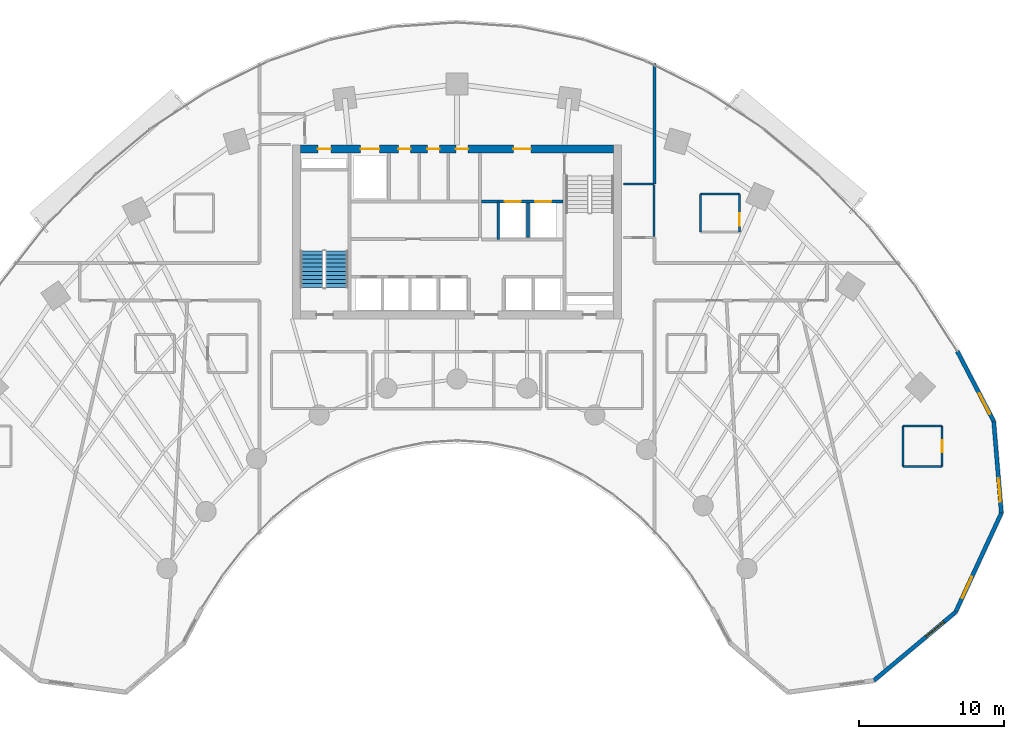
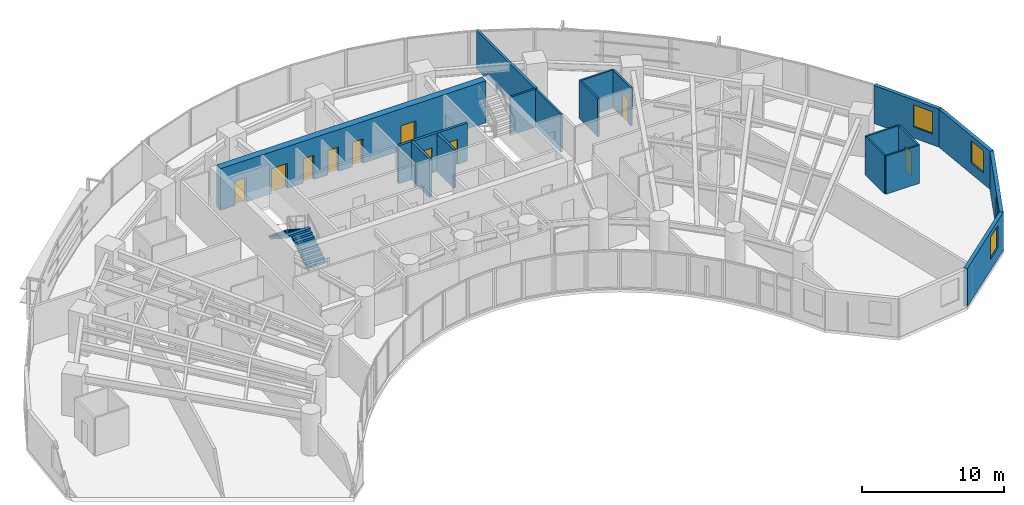
# One storey, part 14 of 17: 18 walls, 10 doors, 4 windows, 2 stair flights, 14 openings, 1 element without a shape of its own.
"""IFC4 building model written with IfcOpenShell, lengths in metres."""

from ifc_helpers import new_model, si_unit, direction, frame, frame_2d, origin, place, context, subcontext, project, spatial, polyline, rectangle, outline, extrude, source, transform, mapped, material, layer, layer_set, type_object, type_shapes, element, fill, aggregate, save


model = new_model("IFC4")

# Units and contexts
model_context = context("Model", 3, precision=1e-05, world=origin(), true_north=direction((0.0, 1.0)))
body_context = subcontext(model_context, "Body", "Model", "MODEL_VIEW")
ifc_project = project(units=[si_unit("LENGTHUNIT", "METRE"), si_unit("AREAUNIT", "SQUARE_METRE"), si_unit("VOLUMEUNIT", "CUBIC_METRE"), si_unit("PLANEANGLEUNIT", "RADIAN"), si_unit("MASSUNIT", "GRAM", prefix="KILO")], contexts=[model_context])

# Site, building, storey
site_placement = place(None, origin())
site = spatial("IfcSite", under=ifc_project, at=site_placement, CompositionType="ELEMENT")
building_placement = place(site_placement, origin())
building = spatial("IfcBuilding", under=site, at=building_placement, Name="Breltana Convention Tower", CompositionType="ELEMENT")
storey_placement = place(building_placement, frame((0.0, 0.0, 82.199951171875)))
storey = spatial("IfcBuildingStorey", under=building, at=storey_placement, Name="L19", CompositionType="ELEMENT", Elevation=82.199951171875)

# Wall, openings, doors
ifc_material_1 = material(Name="Concrete C60/75", Category="concrete")
ifc_layer_1 = layer(ifc_material_1, 0.550048828125, Name="Concrete C60/75")
ifc_layer_set_1 = layer_set([ifc_layer_1], Name="Concrete C60/75")
wall_type_1 = type_object("IfcWallType", Name="SW-CORE-550", PredefinedType="SHEAR", material=ifc_layer_set_1)
shared_shape_1 = source(origin(), body_context, "Body", "SweptSolid", [
    extrude(rectangle(XDim=21.60009765625, YDim=0.550048828125, at=frame_2d((10.800048828125, 0.0))), origin(), (0.0, 0.0, 1.0), 3.60009765625),
])
wall_1_placement = place(storey_placement, frame((37.199951171875, 71.925048828125, 0.0), z_axis=(0.0, 0.0, 1.0), x_axis=(1.0, 0.0, 0.0)))
wall_1 = element("IfcWall", 1, at=wall_1_placement, inside=storey, type_object=wall_type_1, Name="L19 North Core Shear Wall", PredefinedType="SHEAR", context=body_context, shape_type="MappedRepresentation", body=[
    mapped(shared_shape_1, transform((0.0, 0.0, 0.0), scale=1.0)),
])
opening_1_placement = place(wall_1_placement, frame((1.199951171875, 0.0, 0.0)))
opening_1 = element("IfcOpeningElement", 2, at=opening_1_placement, cuts=wall_1, Name="Opening D-18", PredefinedType="OPENING", context=body_context, shape_type="SweptSolid", body=[
    extrude(rectangle(XDim=0.89990234375, YDim=2.10009765625, at=frame_2d((0.449951171875, 1.050048828125))), frame((0.0, 0.28515625, 0.0), z_axis=(0.0, -1.0, 0.0), x_axis=(1.0, 0.0, 0.0)), (0.0, 0.0, 1.0), 0.570068359375),
])
opening_2_placement = place(wall_1_placement, frame((14.699951171875, 0.0, 0.0)))
opening_2 = element("IfcOpeningElement", 3, at=opening_2_placement, cuts=wall_1, Name="Opening D-09", PredefinedType="OPENING", context=body_context, shape_type="SweptSolid", body=[
    extrude(rectangle(XDim=1.199951171875, YDim=2.14990234375, at=frame_2d((0.60009765625, 1.074951171875))), frame((0.0, 0.28515625, 0.0), z_axis=(0.0, -1.0, 0.0), x_axis=(1.0, 0.0, 0.0)), (0.0, 0.0, 1.0), 0.570068359375),
])
opening_3_placement = place(wall_1_placement, frame((4.14990234375, 0.0, 0.0)))
opening_3 = element("IfcOpeningElement", 4, at=opening_3_placement, cuts=wall_1, Name="Opening LD-01", PredefinedType="OPENING", context=body_context, shape_type="SweptSolid", body=[
    extrude(rectangle(XDim=1.300048828125, YDim=2.14990234375, at=frame_2d((0.64990234375, 1.074951171875))), frame((0.0, 0.28515625, 0.0), z_axis=(0.0, -1.0, 0.0), x_axis=(1.0, 0.0, 0.0)), (0.0, 0.0, 1.0), 0.570068359375),
])
opening_4_placement = place(wall_1_placement, frame((6.760009765625, 0.0, 0.0)))
opening_4 = element("IfcOpeningElement", 5, at=opening_4_placement, cuts=wall_1, Name="Opening D-20", PredefinedType="OPENING", context=body_context, shape_type="SweptSolid", body=[
    extrude(rectangle(XDim=0.85009765625, YDim=2.10009765625, at=frame_2d((0.425048828125, 1.050048828125))), frame((0.0, 0.28515625, 0.0), z_axis=(0.0, -1.0, 0.0), x_axis=(1.0, 0.0, 0.0)), (0.0, 0.0, 1.0), 0.570068359375),
])
opening_5_placement = place(wall_1_placement, frame((8.760009765625, 0.0, 0.0)))
opening_5 = element("IfcOpeningElement", 6, at=opening_5_placement, cuts=wall_1, Name="Opening D-20", PredefinedType="OPENING", context=body_context, shape_type="SweptSolid", body=[
    extrude(rectangle(XDim=0.85009765625, YDim=2.10009765625, at=frame_2d((0.425048828125, 1.050048828125))), frame((0.0, 0.28515625, 0.0), z_axis=(0.0, -1.0, 0.0), x_axis=(1.0, 0.0, 0.0)), (0.0, 0.0, 1.0), 0.570068359375),
])
opening_6_placement = place(wall_1_placement, frame((10.72509765625, 0.0, 0.0)))
opening_6 = element("IfcOpeningElement", 7, at=opening_6_placement, cuts=wall_1, Name="Opening D-20", PredefinedType="OPENING", context=body_context, shape_type="SweptSolid", body=[
    extrude(rectangle(XDim=0.85009765625, YDim=2.10009765625, at=frame_2d((0.425048828125, 1.050048828125))), frame((0.0, 0.28515625, 0.0), z_axis=(0.0, -1.0, 0.0), x_axis=(1.0, 0.0, 0.0)), (0.0, 0.0, 1.0), 0.570068359375),
])
ifc_material_2 = material(Name="Steel Riser Fire Door", Category="steel")
door_type_1 = type_object("IfcDoorType", Name="DR-FD60-900", OperationType="NOTDEFINED", PredefinedType="DOOR", material=ifc_material_2)
shared_shape_2 = source(origin(), body_context, "Body", "SweptSolid", [
    extrude(rectangle(XDim=0.89990234375, YDim=2.10009765625, at=frame_2d((0.449951171875, 1.050048828125))), frame((0.0, 0.02490234375, 0.0), z_axis=(0.0, -1.0, 0.0), x_axis=(1.0, 0.0, 0.0)), (0.0, 0.0, 1.0), 0.050048828125),
])
type_shapes(door_type_1, [shared_shape_2])
door_1_placement = place(opening_1_placement, origin())
door_1 = element("IfcDoor", 8, at=door_1_placement, inside=storey, type_object=door_type_1, Name="L19 Core Riser Access Door D-L19-RS1", OperationType="SINGLE_SWING_LEFT", OverallHeight=2.10009765625, OverallWidth=0.89990234375, PredefinedType="DOOR", context=body_context, shape_type="MappedRepresentation", body=[
    mapped(shared_shape_2, transform((0.0, 0.0, 0.0), scale=1.0)),
])
fill(opening_1, door_1)
ifc_material_3 = material(Name="Steel Fire Lobby Door", Category="steel")
door_type_2 = type_object("IfcDoorType", Name="DR-FD120-1200", OperationType="NOTDEFINED", PredefinedType="DOOR", material=ifc_material_3)
shared_shape_3 = source(origin(), body_context, "Body", "SweptSolid", [
    extrude(rectangle(XDim=1.199951171875, YDim=2.14990234375, at=frame_2d((0.60009765625, 1.074951171875))), frame((0.0, 0.02490234375, 0.0), z_axis=(0.0, -1.0, 0.0), x_axis=(1.0, 0.0, 0.0)), (0.0, 0.0, 1.0), 0.050048828125),
])
type_shapes(door_type_2, [shared_shape_3])
door_2_placement = place(opening_2_placement, origin())
door_2 = element("IfcDoor", 9, at=door_2_placement, inside=storey, type_object=door_type_2, Name="L19 interior door D-L19-FFL-N", OperationType="SINGLE_SWING_RIGHT", OverallHeight=2.14990234375, OverallWidth=1.199951171875, PredefinedType="DOOR", context=body_context, shape_type="MappedRepresentation", body=[
    mapped(shared_shape_3, transform((0.0, 0.0, 0.0), scale=1.0)),
])
fill(opening_2, door_2)
ifc_material_4 = material(Name="Stainless Steel Brushed", Category="steel")
door_type_3 = type_object("IfcDoorType", Name="DR-LD-SRV-1300", OperationType="DOUBLE_DOOR_SLIDING", PredefinedType="DOOR", material=ifc_material_4)
shared_shape_4 = source(origin(), body_context, "Body", "SweptSolid", [
    extrude(rectangle(XDim=1.300048828125, YDim=2.14990234375, at=frame_2d((0.64990234375, 1.074951171875))), frame((0.0, 0.02490234375, 0.0), z_axis=(0.0, -1.0, 0.0), x_axis=(1.0, 0.0, 0.0)), (0.0, 0.0, 1.0), 0.050048828125),
])
type_shapes(door_type_3, [shared_shape_4])
door_3_placement = place(opening_3_placement, origin())
door_3 = element("IfcDoor", 10, at=door_3_placement, inside=storey, type_object=door_type_3, Name="L19 Lift Landing Door D-L19-LD-SV1", OperationType="DOUBLE_DOOR_SLIDING", OverallHeight=2.14990234375, OverallWidth=1.300048828125, PredefinedType="DOOR", context=body_context, shape_type="MappedRepresentation", body=[
    mapped(shared_shape_4, transform((0.0, 0.0, 0.0), scale=1.0)),
])
fill(opening_3, door_3)
ifc_material_5 = material(Name="Steel Closet Fire Door", Category="steel")
door_type_4 = type_object("IfcDoorType", Name="DR-FD60-850", OperationType="NOTDEFINED", PredefinedType="DOOR", material=ifc_material_5)
shared_shape_5 = source(origin(), body_context, "Body", "SweptSolid", [
    extrude(rectangle(XDim=0.85009765625, YDim=2.10009765625, at=frame_2d((0.425048828125, 1.050048828125))), frame((0.0, 0.02490234375, 0.0), z_axis=(0.0, -1.0, 0.0), x_axis=(1.0, 0.0, 0.0)), (0.0, 0.0, 1.0), 0.050048828125),
])
type_shapes(door_type_4, [shared_shape_5])
door_4_placement = place(opening_4_placement, origin())
door_4 = element("IfcDoor", 11, at=door_4_placement, inside=storey, type_object=door_type_4, Name="L19 interior door D-L19-CRA1", OperationType="SINGLE_SWING_LEFT", OverallHeight=2.10009765625, OverallWidth=0.85009765625, PredefinedType="DOOR", context=body_context, shape_type="MappedRepresentation", body=[
    mapped(shared_shape_5, transform((0.0, 0.0, 0.0), scale=1.0)),
])
fill(opening_4, door_4)
door_5_placement = place(opening_5_placement, origin())
door_5 = element("IfcDoor", 12, at=door_5_placement, inside=storey, type_object=door_type_4, Name="L19 interior door D-L19-CRA2", OperationType="SINGLE_SWING_RIGHT", OverallHeight=2.10009765625, OverallWidth=0.85009765625, PredefinedType="DOOR", context=body_context, shape_type="MappedRepresentation", body=[
    mapped(shared_shape_5, transform((0.0, 0.0, 0.0), scale=1.0)),
])
fill(opening_5, door_5)
door_6_placement = place(opening_6_placement, origin())
door_6 = element("IfcDoor", 13, at=door_6_placement, inside=storey, type_object=door_type_4, Name="L19 interior door D-L19-CRA3", OperationType="SINGLE_SWING_LEFT", OverallHeight=2.10009765625, OverallWidth=0.85009765625, PredefinedType="DOOR", context=body_context, shape_type="MappedRepresentation", body=[
    mapped(shared_shape_5, transform((0.0, 0.0, 0.0), scale=1.0)),
])
fill(opening_6, door_6)

# Wall, opening, window
ifc_material_6 = material(Name="Limestone Buff Insulated Wall", Category="masonry")
ifc_layer_2 = layer(ifc_material_6, 0.280029296875, Name="Limestone Buff Insulated Wall")
ifc_layer_set_2 = layer_set([ifc_layer_2], Name="Limestone Buff Insulated Wall")
wall_type_2 = type_object("IfcWallType", Name="WL-EXT-NOSE-280", PredefinedType="SOLIDWALL", material=ifc_layer_set_2)
shared_shape_6 = source(origin(), body_context, "Body", "SweptSolid", [
    extrude(rectangle(XDim=6.3525390625, YDim=0.280029296875, at=frame_2d((3.17626953125, 0.0))), origin(), (0.0, 0.0, 1.0), 3.280029296875),
])
wall_2_placement = place(storey_placement, frame((85.052978515625, 53.1220703125, 0.0), z_axis=(0.0, 0.0, 1.0), x_axis=(0.083319001377, -0.996522926986, 0.0)))
wall_2 = element("IfcWall", 14, at=wall_2_placement, inside=storey, type_object=wall_type_2, Name="L19 curved limestone nose wall E1", PredefinedType="SOLIDWALL", context=body_context, shape_type="MappedRepresentation", body=[
    mapped(shared_shape_6, transform((0.0, 0.0, 0.0), scale=1.0)),
])
opening_7_placement = place(wall_2_placement, frame((3.96435546875, 0.0, 0.949951171875)))
opening_7 = element("IfcOpeningElement", 15, at=opening_7_placement, cuts=wall_2, Name="Opening W-04", PredefinedType="OPENING", context=body_context, shape_type="SweptSolid", body=[
    extrude(rectangle(XDim=1.60009765625, YDim=1.89990234375, at=frame_2d((0.800048828125, 0.949951171875))), frame((0.0, 0.14990234375, 0.0), z_axis=(0.0, -1.0, 0.0), x_axis=(1.0, 0.0, 0.0)), (0.0, 0.0, 1.0), 0.300048828125),
])
ifc_material_7 = material(Name="Glass Low-E Insulated Window", Category="glass")
window_type = type_object("IfcWindowType", Name="WN-NOSE-1600X1900", PartitioningType="SINGLE_PANEL", PredefinedType="WINDOW", material=ifc_material_7)
shared_shape_7 = source(origin(), body_context, "Body", "SweptSolid", [
    extrude(rectangle(XDim=1.60009765625, YDim=1.89990234375, at=frame_2d((0.800048828125, 0.949951171875))), frame((0.0, 0.030029296875, 0.0), z_axis=(0.0, -1.0, 0.0), x_axis=(1.0, 0.0, 0.0)), (0.0, 0.0, 1.0), 0.06005859375),
])
type_shapes(window_type, [shared_shape_7])
window_1_placement = place(opening_7_placement, origin())
window_1 = element("IfcWindow", 16, at=window_1_placement, inside=storey, type_object=window_type, Name="L19 nose window E1", OverallHeight=1.89990234375, OverallWidth=1.60009765625, PartitioningType="SINGLE_PANEL", PredefinedType="WINDOW", context=body_context, shape_type="MappedRepresentation", body=[
    mapped(shared_shape_7, transform((0.0, 0.0, 0.0), scale=1.0)),
])
fill(opening_7, window_1)

shared_shape_8 = source(origin(), body_context, "Body", "SweptSolid", [
    extrude(rectangle(XDim=7.536376953125, YDim=0.280029296875, at=frame_2d((3.76806640625, 0.0))), origin(), (0.0, 0.0, 1.0), 3.280029296875),
])
wall_3_placement = place(storey_placement, frame((85.582275390625, 46.79150390625, 0.0), z_axis=(0.0, 0.0, 1.0), x_axis=(-0.41964973873, -0.907686122393, 0.0)))
wall_3 = element("IfcWall", 17, at=wall_3_placement, inside=storey, type_object=wall_type_2, Name="L19 curved limestone nose wall E2", PredefinedType="SOLIDWALL", context=body_context, shape_type="MappedRepresentation", body=[
    mapped(shared_shape_8, transform((0.0, 0.0, 0.0), scale=1.0)),
])
opening_8_placement = place(wall_3_placement, frame((4.852294921875, 0.0, 0.949951171875)))
opening_8 = element("IfcOpeningElement", 18, at=opening_8_placement, cuts=wall_3, Name="Opening W-04", PredefinedType="OPENING", context=body_context, shape_type="SweptSolid", body=[
    extrude(rectangle(XDim=1.60009765625, YDim=1.89990234375, at=frame_2d((0.800048828125, 0.949951171875))), frame((0.0, 0.14990234375, 0.0), z_axis=(0.0, -1.0, 0.0), x_axis=(1.0, 0.0, 0.0)), (0.0, 0.0, 1.0), 0.300048828125),
])
window_2_placement = place(opening_8_placement, origin())
window_2 = element("IfcWindow", 19, at=window_2_placement, inside=storey, type_object=window_type, Name="L19 nose window E2", OverallHeight=1.89990234375, OverallWidth=1.60009765625, PartitioningType="SINGLE_PANEL", PredefinedType="WINDOW", context=body_context, shape_type="MappedRepresentation", body=[
    mapped(shared_shape_7, transform((0.0, 0.0, 0.0), scale=1.0)),
])
fill(opening_8, window_2)

shared_shape_9 = source(origin(), body_context, "Body", "SweptSolid", [
    extrude(rectangle(XDim=7.35888671875, YDim=0.280029296875, at=frame_2d((3.679443359375, 0.0))), origin(), (0.0, 0.0, 1.0), 3.280029296875),
])
wall_4_placement = place(storey_placement, frame((82.419677734375, 39.950927734375, 0.0), z_axis=(0.0, 0.0, 1.0), x_axis=(-0.766737165543, -0.641961150675, 0.0)))
wall_4 = element("IfcWall", 20, at=wall_4_placement, inside=storey, type_object=wall_type_2, Name="L19 curved limestone nose wall E3", PredefinedType="SOLIDWALL", context=body_context, shape_type="MappedRepresentation", body=[
    mapped(shared_shape_9, transform((0.0, 0.0, 0.0), scale=1.0)),
])
opening_9_placement = place(wall_4_placement, frame((1.039794921875, 0.0, 0.949951171875)))
opening_9 = element("IfcOpeningElement", 21, at=opening_9_placement, cuts=wall_4, Name="Opening W-04", PredefinedType="OPENING", context=body_context, shape_type="SweptSolid", body=[
    extrude(rectangle(XDim=1.60009765625, YDim=1.89990234375, at=frame_2d((0.800048828125, 0.949951171875))), frame((0.0, 0.14990234375, 0.0), z_axis=(0.0, -1.0, 0.0), x_axis=(1.0, 0.0, 0.0)), (0.0, 0.0, 1.0), 0.300048828125),
])
window_3_placement = place(opening_9_placement, origin())
window_3 = element("IfcWindow", 22, at=window_3_placement, inside=storey, type_object=window_type, Name="L19 nose window E3", OverallHeight=1.89990234375, OverallWidth=1.60009765625, PartitioningType="SINGLE_PANEL", PredefinedType="WINDOW", context=body_context, shape_type="MappedRepresentation", body=[
    mapped(shared_shape_7, transform((0.0, 0.0, 0.0), scale=1.0)),
])
fill(opening_9, window_3)

shared_shape_10 = source(origin(), body_context, "Body", "SweptSolid", [
    extrude(rectangle(XDim=5.45947265625, YDim=0.280029296875, at=frame_2d((2.729736328125, 0.0))), origin(), (0.0, 0.0, 1.0), 3.280029296875),
])
wall_5_placement = place(storey_placement, frame((82.531982421875, 57.964599609375, 0.0), z_axis=(0.0, 0.0, 1.0), x_axis=(0.461768054321, -0.887000712518, 0.0)))
wall_5 = element("IfcWall", 23, at=wall_5_placement, inside=storey, type_object=wall_type_2, Name="L19 curved limestone nose wall E7", PredefinedType="SOLIDWALL", context=body_context, shape_type="MappedRepresentation", body=[
    mapped(shared_shape_10, transform((0.0, 0.0, 0.0), scale=1.0)),
])
opening_10_placement = place(wall_5_placement, frame((3.294677734375, 0.0, 0.949951171875)))
opening_10 = element("IfcOpeningElement", 24, at=opening_10_placement, cuts=wall_5, Name="Opening W-04", PredefinedType="OPENING", context=body_context, shape_type="SweptSolid", body=[
    extrude(rectangle(XDim=1.60009765625, YDim=1.89990234375, at=frame_2d((0.800048828125, 0.949951171875))), frame((0.0, 0.14990234375, 0.0), z_axis=(0.0, -1.0, 0.0), x_axis=(1.0, 0.0, 0.0)), (0.0, 0.0, 1.0), 0.300048828125),
])
window_4_placement = place(opening_10_placement, origin())
window_4 = element("IfcWindow", 25, at=window_4_placement, inside=storey, type_object=window_type, Name="L19 nose window E7", OverallHeight=1.89990234375, OverallWidth=1.60009765625, PartitioningType="SINGLE_PANEL", PredefinedType="WINDOW", context=body_context, shape_type="MappedRepresentation", body=[
    mapped(shared_shape_7, transform((0.0, 0.0, 0.0), scale=1.0)),
])
fill(opening_10, window_4)

# Wall, openings, doors
ifc_material_8 = material(Name="Autoclaved Aerated Concrete Block", Category="concrete")
ifc_layer_3 = layer(ifc_material_8, 0.199951171875, Name="Autoclaved Aerated Concrete Block")
ifc_layer_set_3 = layer_set([ifc_layer_3], Name="Autoclaved Aerated Concrete Block")
wall_type_3 = type_object("IfcWallType", Name="WL-SHAFT-200", PredefinedType="SOLIDWALL", material=ifc_layer_set_3)
shared_shape_11 = source(origin(), body_context, "Body", "SweptSolid", [
    extrude(rectangle(XDim=5.6201171875, YDim=0.199951171875, at=frame_2d((2.81005859375, 0.0))), origin(), (0.0, 0.0, 1.0), 3.280029296875),
])
wall_6_placement = place(storey_placement, frame((49.699951171875, 68.300048828125, 0.0), z_axis=(0.0, 0.0, 1.0), x_axis=(1.0, 0.0, 0.0)))
wall_6 = element("IfcWall", 26, at=wall_6_placement, inside=storey, type_object=wall_type_3, Name="L19 interior partition W-L19-FFL-S", PredefinedType="SOLIDWALL", context=body_context, shape_type="MappedRepresentation", body=[
    mapped(shared_shape_11, transform((0.0, 0.0, 0.0), scale=1.0)),
])
opening_11_placement = place(wall_6_placement, frame((1.60009765625, 0.0, 0.0)))
opening_11 = element("IfcOpeningElement", 27, at=opening_11_placement, cuts=wall_6, Name="Opening LD-03", PredefinedType="OPENING", context=body_context, shape_type="SweptSolid", body=[
    extrude(rectangle(XDim=1.10009765625, YDim=2.14990234375, at=frame_2d((0.550048828125, 1.074951171875))), frame((0.0, 0.10986328125, 0.0), z_axis=(0.0, -1.0, 0.0), x_axis=(1.0, 0.0, 0.0)), (0.0, 0.0, 1.0), 0.219970703125),
])
opening_12_placement = place(wall_6_placement, frame((3.699951171875, 0.0, 0.0)))
opening_12 = element("IfcOpeningElement", 28, at=opening_12_placement, cuts=wall_6, Name="Opening LD-03", PredefinedType="OPENING", context=body_context, shape_type="SweptSolid", body=[
    extrude(rectangle(XDim=1.10009765625, YDim=2.14990234375, at=frame_2d((0.550048828125, 1.074951171875))), frame((0.0, 0.10986328125, 0.0), z_axis=(0.0, -1.0, 0.0), x_axis=(1.0, 0.0, 0.0)), (0.0, 0.0, 1.0), 0.219970703125),
])
door_type_5 = type_object("IfcDoorType", Name="DR-LD-FF-1100", OperationType="DOUBLE_DOOR_SLIDING", PredefinedType="DOOR", material=ifc_material_4)
shared_shape_12 = source(origin(), body_context, "Body", "SweptSolid", [
    extrude(rectangle(XDim=1.10009765625, YDim=2.14990234375, at=frame_2d((0.550048828125, 1.074951171875))), frame((0.0, 0.02490234375, 0.0), z_axis=(0.0, -1.0, 0.0), x_axis=(1.0, 0.0, 0.0)), (0.0, 0.0, 1.0), 0.050048828125),
])
type_shapes(door_type_5, [shared_shape_12])
door_7_placement = place(opening_11_placement, origin())
door_7 = element("IfcDoor", 29, at=door_7_placement, inside=storey, type_object=door_type_5, Name="L19 Lift Landing Door D-L19-LD-FL1", OperationType="DOUBLE_DOOR_SLIDING", OverallHeight=2.14990234375, OverallWidth=1.10009765625, PredefinedType="DOOR", context=body_context, shape_type="MappedRepresentation", body=[
    mapped(shared_shape_12, transform((0.0, 0.0, 0.0), scale=1.0)),
])
fill(opening_11, door_7)
door_8_placement = place(opening_12_placement, origin())
door_8 = element("IfcDoor", 30, at=door_8_placement, inside=storey, type_object=door_type_5, Name="L19 Lift Landing Door D-L19-LD-FL2", OperationType="DOUBLE_DOOR_SLIDING", OverallHeight=2.14990234375, OverallWidth=1.10009765625, PredefinedType="DOOR", context=body_context, shape_type="MappedRepresentation", body=[
    mapped(shared_shape_12, transform((0.0, 0.0, 0.0), scale=1.0)),
])
fill(opening_12, door_8)

# Walls
shared_shape_13 = source(origin(), body_context, "Body", "SweptSolid", [
    extrude(rectangle(XDim=2.580078125, YDim=0.199951171875, at=frame_2d((1.2900390625, 0.0))), origin(), (0.0, 0.0, 1.0), 3.280029296875),
])
wall_7_placement = place(storey_placement, frame((50.85009765625, 65.679931640625, 0.0), z_axis=(0.0, 0.0, 1.0), x_axis=(0.0, 1.0, 0.0)))
element("IfcWall", 31, at=wall_7_placement, inside=storey, type_object=wall_type_3, Name="L19 interior partition W-L19-FL-W", PredefinedType="SOLIDWALL", context=body_context, shape_type="MappedRepresentation", body=[
    mapped(shared_shape_13, transform((0.0, 0.0, 0.0), scale=1.0)),
])
shared_shape_14 = source(origin(), body_context, "Body", "SweptSolid", [
    extrude(rectangle(XDim=2.39990234375, YDim=0.199951171875, at=frame_2d((1.199951171875, 0.0))), origin(), (0.0, 0.0, 1.0), 3.280029296875),
])
wall_8_placement = place(storey_placement, frame((52.89990234375, 65.800048828125, 0.0), z_axis=(0.0, 0.0, 1.0), x_axis=(0.0, 1.0, 0.0)))
element("IfcWall", 32, at=wall_8_placement, inside=storey, type_object=wall_type_3, Name="L19 interior partition W-L19-FL-DIV", PredefinedType="SOLIDWALL", context=body_context, shape_type="MappedRepresentation", body=[
    mapped(shared_shape_14, transform((0.0, 0.0, 0.0), scale=1.0)),
])
ifc_material_9 = material(Name="Gypsum Acoustic Drywall Partition")
ifc_layer_4 = layer(ifc_material_9, 0.14990234375, Name="Gypsum Acoustic Drywall Partition")
ifc_layer_set_4 = layer_set([ifc_layer_4], Name="Gypsum Acoustic Drywall Partition")
wall_type_4 = type_object("IfcWallType", Name="WL-PART-150", PredefinedType="PARTITIONING", material=ifc_layer_set_4)
shared_shape_15 = source(origin(), body_context, "Body", "SweptSolid", [
    extrude(rectangle(XDim=2.10009765625, YDim=0.14990234375, at=frame_2d((1.050048828125, 0.0))), origin(), (0.0, 0.0, 1.0), 3.280029296875),
])
wall_9_placement = place(storey_placement, frame((59.5, 69.5, 0.0), z_axis=(0.0, 0.0, 1.0), x_axis=(1.0, 0.0, 0.0)))
element("IfcWall", 33, at=wall_9_placement, inside=storey, type_object=wall_type_4, Name="L19 interior partition W-L19-CRSE-N", PredefinedType="PARTITIONING", context=body_context, shape_type="MappedRepresentation", body=[
    mapped(shared_shape_15, transform((0.0, 0.0, 0.0), scale=1.0)),
])
shared_shape_16 = source(origin(), body_context, "Body", "SweptSolid", [
    extrude(rectangle(XDim=3.565185546875, YDim=0.14990234375, at=frame_2d((1.78271484375, 0.0))), origin(), (0.0, 0.0, 1.0), 3.280029296875),
])
wall_10_placement = place(storey_placement, frame((61.60009765625, 65.867431640625, 0.0), z_axis=(0.0, 0.0, 1.0), x_axis=(0.0, 1.0, 0.0)))
element("IfcWall", 34, at=wall_10_placement, inside=storey, type_object=wall_type_4, Name="L19 interior partition W-L19-CRSE-E", PredefinedType="PARTITIONING", context=body_context, shape_type="MappedRepresentation", body=[
    mapped(shared_shape_16, transform((0.0, 0.0, 0.0), scale=1.0)),
])
ifc_material_10 = material(Name="Gypsum Acoustic Hotel Wall")
ifc_layer_5 = layer(ifc_material_10, 0.195068359375, Name="Gypsum Acoustic Hotel Wall")
ifc_layer_set_5 = layer_set([ifc_layer_5], Name="Gypsum Acoustic Hotel Wall")
wall_type_5 = type_object("IfcWallType", Name="WL-HOTEL-200", PredefinedType="PARTITIONING", material=ifc_layer_set_5)
shared_shape_17 = source(origin(), body_context, "Body", "SweptSolid", [
    extrude(rectangle(XDim=8.324462890625, YDim=0.195068359375, at=frame_2d((4.162109375, 0.0))), origin(), (0.0, 0.0, 1.0), 3.280029296875),
])
wall_11_placement = place(storey_placement, frame((61.639892578125, 69.5, 0.0), z_axis=(0.0, 0.0, 1.0), x_axis=(0.0, 1.0, 0.0)))
element("IfcWall", 35, at=wall_11_placement, inside=storey, type_object=wall_type_5, Name="L19 interior partition W-L19-PHEN-CE2", PredefinedType="PARTITIONING", context=body_context, shape_type="MappedRepresentation", body=[
    mapped(shared_shape_17, transform((0.0, 0.0, 0.0), scale=1.0)),
])
ifc_material_11 = material(Name="Moisture-Resistant En-Suite Partition")
ifc_layer_6 = layer(ifc_material_11, 0.139892578125, Name="Moisture-Resistant En-Suite Partition")
ifc_layer_set_6 = layer_set([ifc_layer_6], Name="Moisture-Resistant En-Suite Partition")
wall_type_6 = type_object("IfcWallType", Name="WL-WET-150", PredefinedType="PARTITIONING", material=ifc_layer_set_6)
shared_shape_18 = source(origin(), body_context, "Body", "SweptSolid", [
    extrude(rectangle(XDim=2.699951171875, YDim=0.139892578125, at=frame_2d((1.35009765625, 0.0))), origin(), (0.0, 0.0, 1.0), 3.280029296875),
])
for number, where, z_axis, x_axis, name in (
    (36, (64.800048828125, 68.800048828125, 0.0), (0.0, 0.0, 1.0), (1.0, 0.0, 0.0), "L19 interior partition W-L19-PHEN1E-N"),
    (37, (78.800048828125, 52.800048828125, 0.0), (0.0, 0.0, 1.0), (1.0, 0.0, 0.0), "L19 interior partition W-L19-PHES3E-N"),
    (38, (78.800048828125, 50.0, 0.0), (0.0, 0.0, 1.0), (1.0, 0.0, 0.0), "L19 interior partition W-L19-PHES3E-S"),
):
    element("IfcWall", number, at=place(storey_placement, frame(where, z_axis=z_axis, x_axis=x_axis)), inside=storey, type_object=wall_type_6, Name=name, PredefinedType="PARTITIONING", context=body_context, shape_type="MappedRepresentation", body=[
        mapped(shared_shape_18, transform((0.0, 0.0, 0.0), scale=1.0)),
    ])
shared_shape_19 = source(origin(), body_context, "Body", "SweptSolid", [
    extrude(rectangle(XDim=2.60009765625, YDim=0.139892578125, at=frame_2d((1.300048828125, 0.0))), origin(), (0.0, 0.0, 1.0), 3.280029296875),
])
wall_12_placement = place(storey_placement, frame((64.800048828125, 66.199951171875, 0.0), z_axis=(0.0, 0.0, 1.0), x_axis=(0.0, 1.0, 0.0)))
element("IfcWall", 39, at=wall_12_placement, inside=storey, type_object=wall_type_6, Name="L19 interior partition W-L19-PHEN1E-W", PredefinedType="PARTITIONING", context=body_context, shape_type="MappedRepresentation", body=[
    mapped(shared_shape_19, transform((0.0, 0.0, 0.0), scale=1.0)),
])

# Wall, opening, door
wall_13_placement = place(storey_placement, frame((67.5, 66.199951171875, 0.0), z_axis=(0.0, 0.0, 1.0), x_axis=(0.0, 1.0, 0.0)))
wall_13 = element("IfcWall", 40, at=wall_13_placement, inside=storey, type_object=wall_type_6, Name="L19 interior partition W-L19-PHEN1E-E", PredefinedType="PARTITIONING", context=body_context, shape_type="MappedRepresentation", body=[
    mapped(shared_shape_19, transform((0.0, 0.0, 0.0), scale=1.0)),
])
opening_13_placement = place(wall_13_placement, frame((0.425048828125, 0.0, 0.0)))
opening_13 = element("IfcOpeningElement", 41, at=opening_13_placement, cuts=wall_13, Name="Opening D-21", PredefinedType="OPENING", context=body_context, shape_type="SweptSolid", body=[
    extrude(rectangle(XDim=0.85009765625, YDim=2.050048828125, at=frame_2d((0.425048828125, 1.02490234375))), frame((0.0, 0.080078125, 0.0), z_axis=(0.0, -1.0, 0.0), x_axis=(1.0, 0.0, 0.0)), (0.0, 0.0, 1.0), 0.159912109375),
])
ifc_material_12 = material(Name="Timber Moisture-Resistant En-Suite Door", Category="wood")
door_type_6 = type_object("IfcDoorType", Name="DR-WET-850", OperationType="NOTDEFINED", PredefinedType="DOOR", material=ifc_material_12)
shared_shape_20 = source(origin(), body_context, "Body", "SweptSolid", [
    extrude(rectangle(XDim=0.85009765625, YDim=2.050048828125, at=frame_2d((0.425048828125, 1.02490234375))), frame((0.0, 0.02490234375, 0.0), z_axis=(0.0, -1.0, 0.0), x_axis=(1.0, 0.0, 0.0)), (0.0, 0.0, 1.0), 0.050048828125),
])
type_shapes(door_type_6, [shared_shape_20])
door_9_placement = place(opening_13_placement, origin())
door_9 = element("IfcDoor", 42, at=door_9_placement, inside=storey, type_object=door_type_6, Name="L19 interior door D-L19-PHEN1E", OperationType="SINGLE_SWING_LEFT", OverallHeight=2.050048828125, OverallWidth=0.85009765625, PredefinedType="DOOR", context=body_context, shape_type="MappedRepresentation", body=[
    mapped(shared_shape_20, transform((0.0, 0.0, 0.0), scale=1.0)),
])
fill(opening_13, door_9)

# Wall
shared_shape_21 = source(origin(), body_context, "Body", "SweptSolid", [
    extrude(rectangle(XDim=2.800048828125, YDim=0.139892578125, at=frame_2d((1.39990234375, 0.0))), origin(), (0.0, 0.0, 1.0), 3.280029296875),
])
wall_14_placement = place(storey_placement, frame((78.800048828125, 50.0, 0.0), z_axis=(0.0, 0.0, 1.0), x_axis=(0.0, 1.0, 0.0)))
element("IfcWall", 43, at=wall_14_placement, inside=storey, type_object=wall_type_6, Name="L19 interior partition W-L19-PHES3E-W", PredefinedType="PARTITIONING", context=body_context, shape_type="MappedRepresentation", body=[
    mapped(shared_shape_21, transform((0.0, 0.0, 0.0), scale=1.0)),
])

# Wall, opening, door
wall_15_placement = place(storey_placement, frame((81.5, 50.0, 0.0), z_axis=(0.0, 0.0, 1.0), x_axis=(0.0, 1.0, 0.0)))
wall_15 = element("IfcWall", 44, at=wall_15_placement, inside=storey, type_object=wall_type_6, Name="L19 interior partition W-L19-PHES3E-E", PredefinedType="PARTITIONING", context=body_context, shape_type="MappedRepresentation", body=[
    mapped(shared_shape_21, transform((0.0, 0.0, 0.0), scale=1.0)),
])
opening_14_placement = place(wall_15_placement, frame((0.97509765625, 0.0, 0.0)))
opening_14 = element("IfcOpeningElement", 45, at=opening_14_placement, cuts=wall_15, Name="Opening D-21", PredefinedType="OPENING", context=body_context, shape_type="SweptSolid", body=[
    extrude(rectangle(XDim=0.85009765625, YDim=2.050048828125, at=frame_2d((0.425048828125, 1.02490234375))), frame((0.0, 0.080078125, 0.0), z_axis=(0.0, -1.0, 0.0), x_axis=(1.0, 0.0, 0.0)), (0.0, 0.0, 1.0), 0.159912109375),
])
door_10_placement = place(opening_14_placement, origin())
door_10 = element("IfcDoor", 46, at=door_10_placement, inside=storey, type_object=door_type_6, Name="L19 interior door D-L19-PHES3E", OperationType="SINGLE_SWING_LEFT", OverallHeight=2.050048828125, OverallWidth=0.85009765625, PredefinedType="DOOR", context=body_context, shape_type="MappedRepresentation", body=[
    mapped(shared_shape_20, transform((0.0, 0.0, 0.0), scale=1.0)),
])
fill(opening_14, door_10)

# Stair, stair flights
ifc_material_13 = material(Name="Concrete C40/50", Category="concrete")
stair_type = type_object("IfcStairType", Name="ST-DOG-1560-R180", PredefinedType="HALF_TURN_STAIR", material=ifc_material_13)
stair_placement = place(storey_placement, origin())
stair = element("IfcStair", 47, at=stair_placement, inside=storey, type_object=stair_type, Name="L19 Protected Core Exit Stair ST-1", PredefinedType="HALF_TURN_STAIR")
stair_flight_type = type_object("IfcStairFlightType", Name="STF-DOG-1560-N10-R180", PredefinedType="STRAIGHT", material=ifc_material_13)
stair_flight_1_placement = place(storey_placement, frame((39.68994140625, 62.360107421875, 0.0), z_axis=(0.0, 0.0, 1.0), x_axis=(0.0, 1.0, 0.0)))
stair_flight_1 = element("IfcStairFlight", 48, at=stair_flight_1_placement, type_object=stair_flight_type, Name="ST-1 flight 1", NumberOfRisers=10, NumberOfTreads=9, PredefinedType="STRAIGHT", RiserHeight=0.18, TreadLength=0.28, context=body_context, shape_type="SweptSolid", body=[
    extrude(outline(polyline([(0.0, 0.0), (0.0, 0.179931640625), (0.280029296875, 0.179931640625), (0.280029296875, 0.360107421875), (0.56005859375, 0.360107421875), (0.56005859375, 0.5400390625), (0.840087890625, 0.5400390625), (0.840087890625, 0.719970703125), (1.1201171875, 0.719970703125), (1.1201171875, 0.89990234375), (1.39990234375, 0.89990234375), (1.39990234375, 1.080078125), (1.679931640625, 1.080078125), (1.679931640625, 1.260009765625), (1.9599609375, 1.260009765625), (1.9599609375, 1.43994140625), (2.239990234375, 1.43994140625), (2.239990234375, 1.6201171875), (2.52001953125, 1.6201171875), (2.52001953125, 1.800048828125), (2.52001953125, 1.44189453125), (0.277099609375, 0.0), (0.0, 0.0)])), frame((0.0, 0.780029296875, 0.0), z_axis=(0.0, -1.0, 0.0), x_axis=(1.0, 0.0, 0.0)), (0.0, 0.0, 1.0), 1.56005859375),
])
stair_flight_2_placement = place(storey_placement, frame((37.97998046875, 64.8798828125, 1.800048828125), z_axis=(0.0, 0.0, 1.0), x_axis=(0.0, -1.0, 0.0)))
stair_flight_2 = element("IfcStairFlight", 49, at=stair_flight_2_placement, type_object=stair_flight_type, Name="ST-1 flight 2", NumberOfRisers=10, NumberOfTreads=9, PredefinedType="STRAIGHT", RiserHeight=0.18, TreadLength=0.28, context=body_context, shape_type="SweptSolid", body=[
    extrude(outline(polyline([(0.0, 0.0), (0.0, 0.179931640625), (0.280029296875, 0.179931640625), (0.280029296875, 0.360107421875), (0.56005859375, 0.360107421875), (0.56005859375, 0.5400390625), (0.840087890625, 0.5400390625), (0.840087890625, 0.719970703125), (1.1201171875, 0.719970703125), (1.1201171875, 0.89990234375), (1.39990234375, 0.89990234375), (1.39990234375, 1.080078125), (1.679931640625, 1.080078125), (1.679931640625, 1.260009765625), (1.9599609375, 1.260009765625), (1.9599609375, 1.43994140625), (2.239990234375, 1.43994140625), (2.239990234375, 1.6201171875), (2.52001953125, 1.6201171875), (2.52001953125, 1.800048828125), (2.52001953125, 1.44189453125), (0.277099609375, 0.0), (0.0, 0.0)])), frame((0.0, 0.780029296875, 0.0), z_axis=(0.0, -1.0, 0.0), x_axis=(1.0, 0.0, 0.0)), (0.0, 0.0, 1.0), 1.56005859375),
])
aggregate(stair, [stair_flight_1, stair_flight_2])

save(model, "model.ifc")
